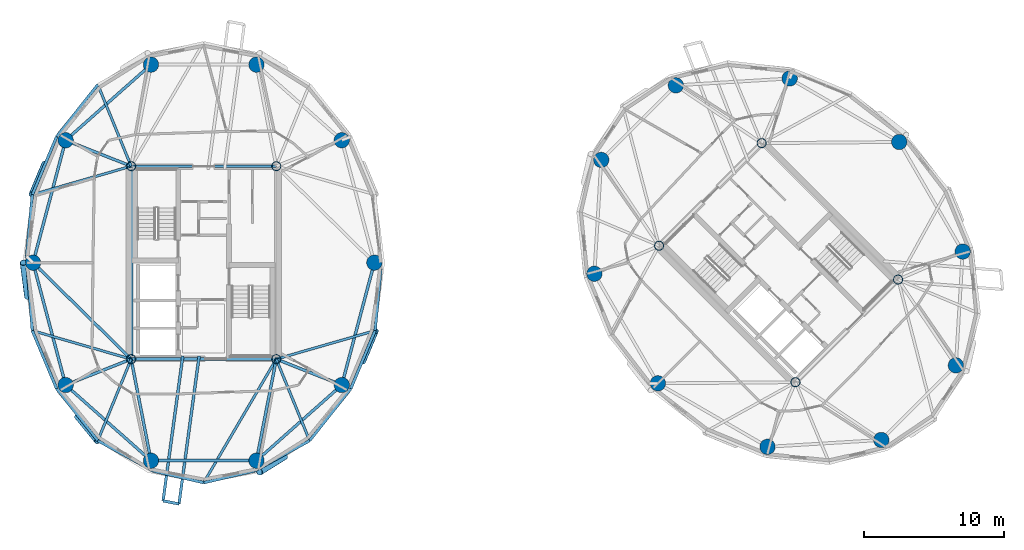
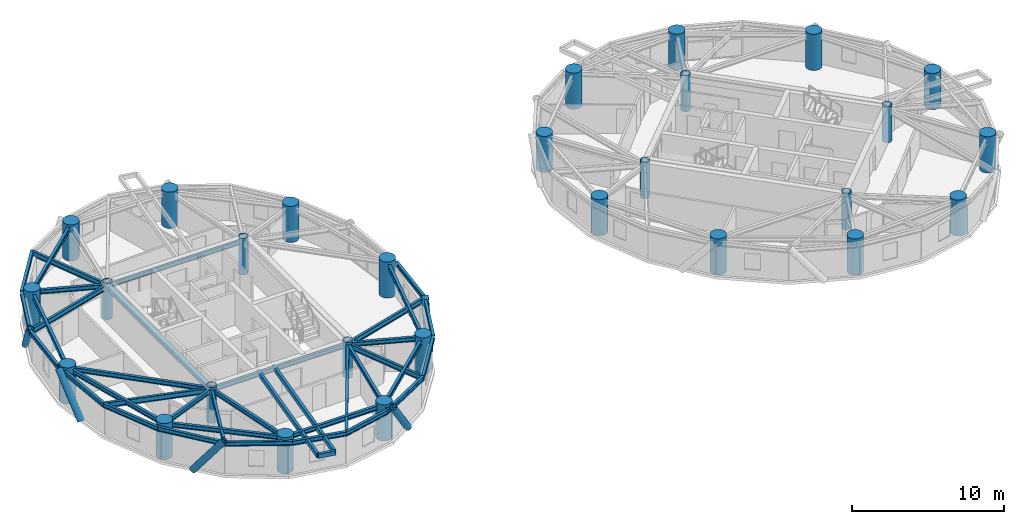
# One storey, part 1 of 16: 39 beams, 28 columns, 5 members.
"""IFC4 building model written with IfcOpenShell, lengths in metres."""

from ifc_helpers import new_model, si_unit, direction, frame, origin, origin_2d, place, context, subcontext, project, spatial, hollow_rectangle, circle, hollow_circle, i_section, extrude, material, material_profile, profile_set, type_object, element, save


model = new_model("IFC4")

# Units and contexts
model_context = context("Model", 3, precision=1e-05, world=origin(), true_north=direction((0.0, 1.0)))
body_context = subcontext(model_context, "Body", "Model", "MODEL_VIEW")
ifc_project = project(units=[si_unit("LENGTHUNIT", "METRE"), si_unit("AREAUNIT", "SQUARE_METRE"), si_unit("VOLUMEUNIT", "CUBIC_METRE"), si_unit("PLANEANGLEUNIT", "RADIAN"), si_unit("MASSUNIT", "GRAM", prefix="KILO")], contexts=[model_context])

# Site, building, storey
site_placement = place(None, origin())
site = spatial("IfcSite", under=ifc_project, at=site_placement, CompositionType="ELEMENT")
building_placement = place(site_placement, origin())
building = spatial("IfcBuilding", under=site, at=building_placement, Name="Cununo Teusaquillo Station Towers", CompositionType="ELEMENT")
storey_placement = place(building_placement, frame((0.0, 0.0, 211.2099609375)))
storey = spatial("IfcBuildingStorey", under=building, at=storey_placement, Name="L67", CompositionType="ELEMENT", Elevation=211.2099609375)

# Columns
ifc_material_1 = material(Name="Steel EN 10025-2 S355J2", Category="steel")
ifc_material_profile_1 = material_profile(ifc_material_1, hollow_circle(Radius=0.330078125, WallThickness=0.02490234375, at=origin_2d()), Name="CHS 660x25")
ifc_profile_set_1 = profile_set([ifc_material_profile_1], Name="Steel EN 10025-2 S355J2")
column_type_1 = type_object("IfcColumnType", Name="COL-CORE-Z3", PredefinedType="COLUMN", material=ifc_profile_set_1)
for number, where, z_axis, x_axis, name in (
    (1, (11.324951171875, 17.6201171875, 0.0), (0.0, 0.0, 1.0), (1.0, 0.0, 0.0), "L67 Tower A Core Column 1"),
    (2, (11.324951171875, 31.3798828125, 0.0), (0.0, 0.0, 1.0), (1.0, 0.0, 0.0), "L67 Tower A Core Column 2"),
    (3, (21.675048828125, 17.6201171875, 0.0), (0.0, 0.0, 1.0), (1.0, 0.0, 0.0), "L67 Tower A Core Column 3"),
    (4, (21.675048828125, 31.3798828125, 0.0), (0.0, 0.0, 1.0), (1.0, 0.0, 0.0), "L67 Tower A Core Column 4"),
    (5, (58.70556640625, 15.975830078125, 0.0), (0.0, 0.0, 1.0), (0.707106781187, 0.707106781187, 0.0), "L67 Tower B Core Column 1"),
    (6, (48.975830078125, 25.70556640625, 0.0), (0.0, 0.0, 1.0), (0.707106781187, 0.707106781187, 0.0), "L67 Tower B Core Column 2"),
    (7, (66.024169921875, 23.29443359375, 0.0), (0.0, 0.0, 1.0), (0.707106781187, 0.707106781187, 0.0), "L67 Tower B Core Column 3"),
    (8, (56.29443359375, 33.024169921875, 0.0), (0.0, 0.0, 1.0), (0.707106781187, 0.707106781187, 0.0), "L67 Tower B Core Column 4"),
):
    element("IfcColumn", number, at=place(storey_placement, frame(where, z_axis=z_axis, x_axis=x_axis)), inside=storey, type_object=column_type_1, Name=name, PredefinedType="COLUMN", context=body_context, shape_type="SweptSolid", body=[
        extrude(hollow_circle(Radius=0.330078125, WallThickness=0.02490234375, at=origin_2d()), origin(), (0.0, 0.0, 1.0), 2.91015625),
    ])
ifc_material_2 = material(Name="Concrete C50/60", Category="concrete")
ifc_material_profile_2 = material_profile(ifc_material_2, circle(Radius=0.550048828125, at=origin_2d()), Name="RC-CIRC-1100")
ifc_profile_set_2 = profile_set([ifc_material_profile_2], Name="Concrete C50/60")
column_type_2 = type_object("IfcColumnType", Name="COL-MEGA-Z4", PredefinedType="USERDEFINED", material=ifc_profile_set_2)
for number, where, z_axis, x_axis, name in (
    (9, (28.672119140625, 24.5, 0.0), (0.0, 0.0, 1.0), (1.0, 0.0, 0.0), "L67 Tower A Perimeter Column V00"),
    (10, (26.347412109375, 33.228515625, 0.0), (0.0, 0.0, 1.0), (1.0, 0.0, 0.0), "L67 Tower A Perimeter Column V02"),
    (11, (20.261474609375, 38.623291015625, 0.0), (0.0, 0.0, 1.0), (1.0, 0.0, 0.0), "L67 Tower A Perimeter Column V04"),
    (12, (12.738525390625, 38.623291015625, 0.0), (0.0, 0.0, 1.0), (1.0, 0.0, 0.0), "L67 Tower A Perimeter Column V06"),
    (13, (6.652587890625, 33.228515625, 0.0), (0.0, 0.0, 1.0), (1.0, 0.0, 0.0), "L67 Tower A Perimeter Column V08"),
    (14, (4.327880859375, 24.5, 0.0), (0.0, 0.0, 1.0), (1.0, 0.0, 0.0), "L67 Tower A Perimeter Column V10"),
    (15, (6.652587890625, 15.771484375, 0.0), (0.0, 0.0, 1.0), (1.0, 0.0, 0.0), "L67 Tower A Perimeter Column V12"),
    (16, (12.738525390625, 10.376708984375, 0.0), (0.0, 0.0, 1.0), (1.0, 0.0, 0.0), "L67 Tower A Perimeter Column V14"),
    (17, (20.261474609375, 10.376708984375, 0.0), (0.0, 0.0, 1.0), (1.0, 0.0, 0.0), "L67 Tower A Perimeter Column V16"),
    (18, (26.347412109375, 15.771484375, 0.0), (0.0, 0.0, 1.0), (1.0, 0.0, 0.0), "L67 Tower A Perimeter Column V18"),
    (19, (66.10693359375, 33.10693359375, 0.0), (0.0, 0.0, 1.0), (1.0, 0.0, 0.0), "L67 Tower B Perimeter Column V00"),
    (20, (58.291015625, 37.63525390625, 0.0), (0.0, 0.0, 1.0), (1.0, 0.0, 0.0), "L67 Tower B Perimeter Column V02"),
    (21, (50.173095703125, 37.146240234375, 0.0), (0.0, 0.0, 1.0), (1.0, 0.0, 0.0), "L67 Tower B Perimeter Column V04"),
    (22, (44.853759765625, 31.826904296875, 0.0), (0.0, 0.0, 1.0), (1.0, 0.0, 0.0), "L67 Tower B Perimeter Column V06"),
    (23, (44.36474609375, 23.708984375, 0.0), (0.0, 0.0, 1.0), (1.0, 0.0, 0.0), "L67 Tower B Perimeter Column V08"),
    (24, (48.89306640625, 15.89306640625, 0.0), (0.0, 0.0, 1.0), (1.0, 0.0, 0.0), "L67 Tower B Perimeter Column V10"),
    (25, (56.708984375, 11.36474609375, 0.0), (0.0, 0.0, 1.0), (1.0, 0.0, 0.0), "L67 Tower B Perimeter Column V12"),
    (26, (64.826904296875, 11.853759765625, 0.0), (0.0, 0.0, 1.0), (1.0, 0.0, 0.0), "L67 Tower B Perimeter Column V14"),
    (27, (70.146240234375, 17.173095703125, 0.0), (0.0, 0.0, 1.0), (1.0, 0.0, 0.0), "L67 Tower B Perimeter Column V16"),
    (28, (70.63525390625, 25.291015625, 0.0), (0.0, 0.0, 1.0), (1.0, 0.0, 0.0), "L67 Tower B Perimeter Column V18"),
):
    element("IfcColumn", number, at=place(storey_placement, frame(where, z_axis=z_axis, x_axis=x_axis)), inside=storey, type_object=column_type_2, Name=name, ObjectType="MEGA COLUMN", PredefinedType="USERDEFINED", context=body_context, shape_type="SweptSolid", body=[
        extrude(circle(Radius=0.550048828125, at=origin_2d()), origin(), (0.0, 0.0, 1.0), 2.91015625),
    ])

# Beams
ifc_material_3 = material(Name="Steel EN 10025-2 S355J2", Category="steel")
ifc_material_profile_3 = material_profile(ifc_material_3, hollow_rectangle(XDim=0.199951171875, YDim=0.35009765625, WallThickness=0.013916015625, at=origin_2d()), Name="RHS 350x200x14")
ifc_profile_set_3 = profile_set([ifc_material_profile_3], Name="Steel EN 10025-2 S355J2")
beam_type_1 = type_object("IfcBeamType", Name="BM-BAL-CANT", PredefinedType="BEAM", material=ifc_profile_set_3)
beam_1_placement = place(storey_placement, frame((15.0107421875, 17.85009765625, 2.525146484375), z_axis=(-0.135018196505, -0.990843119072, 0.0), x_axis=(0.990843119072, -0.135018196505, 0.0)))
element("IfcBeam", 29, at=beam_1_placement, inside=storey, type_object=beam_type_1, Name="L67 Tower A Balcony Cantilever Bracket 2A", PredefinedType="BEAM", context=body_context, shape_type="SweptSolid", body=[
    extrude(hollow_rectangle(XDim=0.199951171875, YDim=0.35009765625, WallThickness=0.013916015625, at=origin_2d()), origin(), (0.0, 0.0, 1.0), 10.43505859375),
])
beam_2_placement = place(storey_placement, frame((16.177001953125, 17.85009765625, 2.525146484375), z_axis=(-0.135006880627, -0.990844660975, 0.0), x_axis=(0.990844660975, -0.135006880627, 0.0)))
element("IfcBeam", 30, at=beam_2_placement, inside=storey, type_object=beam_type_1, Name="L67 Tower A Balcony Cantilever Bracket 2B", PredefinedType="BEAM", context=body_context, shape_type="SweptSolid", body=[
    extrude(hollow_rectangle(XDim=0.199951171875, YDim=0.35009765625, WallThickness=0.013916015625, at=origin_2d()), origin(), (0.0, 0.0, 1.0), 10.65673828125),
])
ifc_material_4 = material(Name="Steel EN 10025-2 S355J2", Category="steel")
ifc_material_profile_4 = material_profile(ifc_material_4, hollow_rectangle(XDim=0.25, YDim=0.449951171875, WallThickness=0.01611328125, at=origin_2d()), Name="RHS 450x250x16")
ifc_profile_set_4 = profile_set([ifc_material_profile_4], Name="Steel EN 10025-2 S355J2")
beam_type_2 = type_object("IfcBeamType", Name="BM-COUP-1", PredefinedType="USERDEFINED", material=ifc_profile_set_4)
beam_3_placement = place(storey_placement, frame((11.324951171875, 17.6201171875, 2.47509765625), z_axis=(0.0, 1.0, 0.0), x_axis=(-1.0, 0.0, 0.0)))
element("IfcBeam", 31, at=beam_3_placement, inside=storey, type_object=beam_type_2, Name="L67 Tower A Core Beam 1", ObjectType="COUPLING BEAM", PredefinedType="USERDEFINED", context=body_context, shape_type="SweptSolid", body=[
    extrude(hollow_rectangle(XDim=0.25, YDim=0.449951171875, WallThickness=0.01611328125, at=origin_2d()), origin(), (0.0, 0.0, 1.0), 13.759765625),
])
ifc_material_5 = material(Name="Steel ASTM A572 Grade 50", Category="steel")
ifc_material_profile_5 = material_profile(ifc_material_5, i_section(OverallWidth=0.180908203125, OverallDepth=0.4169921875, WebThickness=0.010986328125, FlangeThickness=0.018310546875, FilletRadius=0.012939453125, at=origin_2d()), Name="W16X57")
ifc_profile_set_5 = profile_set([ifc_material_profile_5], Name="Steel ASTM A572 Grade 50")
beam_type_3 = type_object("IfcBeamType", Name="BM-JOIST-1", PredefinedType="JOIST", material=ifc_profile_set_5)
beam_4_placement = place(storey_placement, frame((11.324951171875, 31.3798828125, 2.491455078125), z_axis=(-0.378576847217, 0.925569862707, 0.0), x_axis=(-0.925569862707, -0.378576847217, 0.0)))
element("IfcBeam", 32, at=beam_4_placement, inside=storey, type_object=beam_type_3, Name="L67 Tower A Radial Spandrel Joist V07", PredefinedType="JOIST", context=body_context, shape_type="SweptSolid", body=[
    extrude(i_section(OverallWidth=0.180908203125, OverallDepth=0.4169921875, WebThickness=0.010986328125, FlangeThickness=0.018310546875, FilletRadius=0.012939453125, at=origin_2d()), origin(), (0.0, 0.0, 1.0), 6.28125),
])
for number, where, z_axis, x_axis, name in (
    (33, (11.324951171875, 31.3798828125, 2.491455078125), (-0.960861603375, -0.277028841748, 0.0), (0.277028841748, -0.960861603375, 0.0), "L67 Tower A Radial Spandrel Joist V09"),
    (34, (11.324951171875, 17.6201171875, 2.491455078125), (-0.960861603375, 0.277028841748, 0.0), (-0.277028841748, -0.960861603375, 0.0), "L67 Tower A Radial Spandrel Joist V11"),
):
    element("IfcBeam", number, at=place(storey_placement, frame(where, z_axis=z_axis, x_axis=x_axis)), inside=storey, type_object=beam_type_3, Name=name, PredefinedType="JOIST", context=body_context, shape_type="SweptSolid", body=[
        extrude(i_section(OverallWidth=0.180908203125, OverallDepth=0.4169921875, WebThickness=0.010986328125, FlangeThickness=0.018310546875, FilletRadius=0.012939453125, at=origin_2d()), origin(), (0.0, 0.0, 1.0), 7.333251953125),
    ])
beam_5_placement = place(storey_placement, frame((11.324951171875, 17.6201171875, 2.491455078125), z_axis=(-0.378576847217, -0.925569862707, 0.0), x_axis=(0.925569862707, -0.378576847217, 0.0)))
element("IfcBeam", 35, at=beam_5_placement, inside=storey, type_object=beam_type_3, Name="L67 Tower A Radial Spandrel Joist V13", PredefinedType="JOIST", context=body_context, shape_type="SweptSolid", body=[
    extrude(i_section(OverallWidth=0.180908203125, OverallDepth=0.4169921875, WebThickness=0.010986328125, FlangeThickness=0.018310546875, FilletRadius=0.012939453125, at=origin_2d()), origin(), (0.0, 0.0, 1.0), 6.28125),
])
beam_6_placement = place(storey_placement, frame((21.675048828125, 17.6201171875, 2.491455078125), z_axis=(-0.506486432091, -0.862247930765, 0.0), x_axis=(0.862247930765, -0.506486432091, 0.0)))
element("IfcBeam", 36, at=beam_6_placement, inside=storey, type_object=beam_type_3, Name="L67 Tower A Radial Spandrel Joist V15", PredefinedType="JOIST", context=body_context, shape_type="SweptSolid", body=[
    extrude(i_section(OverallWidth=0.180908203125, OverallDepth=0.4169921875, WebThickness=0.010986328125, FlangeThickness=0.018310546875, FilletRadius=0.012939453125, at=origin_2d()), origin(), (0.0, 0.0, 1.0), 10.217529296875),
])
beam_7_placement = place(storey_placement, frame((21.675048828125, 17.6201171875, 2.491455078125), z_axis=(0.378576847217, -0.925569862707, 0.0), x_axis=(0.925569862707, 0.378576847217, 0.0)))
element("IfcBeam", 37, at=beam_7_placement, inside=storey, type_object=beam_type_3, Name="L67 Tower A Radial Spandrel Joist V17", PredefinedType="JOIST", context=body_context, shape_type="SweptSolid", body=[
    extrude(i_section(OverallWidth=0.180908203125, OverallDepth=0.4169921875, WebThickness=0.010986328125, FlangeThickness=0.018310546875, FilletRadius=0.012939453125, at=origin_2d()), origin(), (0.0, 0.0, 1.0), 6.28125),
])
beam_8_placement = place(storey_placement, frame((21.675048828125, 17.6201171875, 2.491455078125), z_axis=(0.960861603375, 0.277028841748, 0.0), x_axis=(-0.277028841748, 0.960861603375, 0.0)))
element("IfcBeam", 38, at=beam_8_placement, inside=storey, type_object=beam_type_3, Name="L67 Tower A Radial Spandrel Joist V19", PredefinedType="JOIST", context=body_context, shape_type="SweptSolid", body=[
    extrude(i_section(OverallWidth=0.180908203125, OverallDepth=0.4169921875, WebThickness=0.010986328125, FlangeThickness=0.018310546875, FilletRadius=0.012939453125, at=origin_2d()), origin(), (0.0, 0.0, 1.0), 7.333251953125),
])
ifc_material_6 = material(Name="Steel ASTM A572 Grade 50", Category="steel")
ifc_material_profile_6 = material_profile(ifc_material_6, i_section(OverallWidth=0.2041015625, OverallDepth=0.35009765625, WebThickness=0.008544921875, FlangeThickness=0.01513671875, FilletRadius=0.011962890625, at=origin_2d()), Name="W14X48")
ifc_profile_set_6 = profile_set([ifc_material_profile_6], Name="Steel ASTM A572 Grade 50")
beam_type_4 = type_object("IfcBeamType", Name="BM-LINTEL-1", PredefinedType="LINTEL", material=ifc_profile_set_6)
for number, where, z_axis, x_axis, name in (
    (39, (11.324951171875, 17.6201171875, 2.525146484375), (1.0, 0.0, 0.0), (0.0, 1.0, 0.0), "L67 Tower A Core Beam 3"),
    (40, (11.324951171875, 31.3798828125, 2.525146484375), (1.0, 0.0, 0.0), (0.0, 1.0, 0.0), "L67 Tower A Core Beam 4"),
):
    element("IfcBeam", number, at=place(storey_placement, frame(where, z_axis=z_axis, x_axis=x_axis)), inside=storey, type_object=beam_type_4, Name=name, PredefinedType="LINTEL", context=body_context, shape_type="SweptSolid", body=[
        extrude(i_section(OverallWidth=0.2041015625, OverallDepth=0.35009765625, WebThickness=0.008544921875, FlangeThickness=0.01513671875, FilletRadius=0.011962890625, at=origin_2d()), origin(), (0.0, 0.0, 1.0), 10.35009765625),
    ])
ifc_material_7 = material(Name="Steel ASTM A572 Grade 50", Category="steel")
ifc_material_profile_7 = material_profile(ifc_material_7, i_section(OverallWidth=0.2041015625, OverallDepth=0.35009765625, WebThickness=0.008544921875, FlangeThickness=0.01513671875, FilletRadius=0.011962890625, at=origin_2d()), Name="W14X48")
ifc_profile_set_7 = profile_set([ifc_material_profile_7], Name="Steel ASTM A572 Grade 50")
beam_type_5 = type_object("IfcBeamType", Name="BM-RAD-G3", PredefinedType="BEAM", material=ifc_profile_set_7)
beam_9_placement = place(storey_placement, frame((11.324951171875, 31.3798828125, 2.525146484375), z_axis=(-0.929851670487, 0.36793460138, 0.0), x_axis=(-0.36793460138, -0.929851670487, 0.0)))
element("IfcBeam", 41, at=beam_9_placement, inside=storey, type_object=beam_type_5, Name="L67 Tower A Continuous Overhanging Radial Girder 05", PredefinedType="BEAM", context=body_context, shape_type="SweptSolid", body=[
    extrude(i_section(OverallWidth=0.2041015625, OverallDepth=0.35009765625, WebThickness=0.008544921875, FlangeThickness=0.01513671875, FilletRadius=0.011962890625, at=origin_2d()), origin(), (0.0, 0.0, 1.0), 5.71630859375),
])
beam_10_placement = place(storey_placement, frame((11.324951171875, 17.6201171875, 2.525146484375), z_axis=(-0.713052701438, 0.701110437073, 0.0), x_axis=(-0.701110437073, -0.713052701438, 0.0)))
element("IfcBeam", 42, at=beam_10_placement, inside=storey, type_object=beam_type_5, Name="L67 Tower A Radial Girder 06A", PredefinedType="BEAM", context=body_context, shape_type="SweptSolid", body=[
    extrude(i_section(OverallWidth=0.2041015625, OverallDepth=0.35009765625, WebThickness=0.008544921875, FlangeThickness=0.01513671875, FilletRadius=0.011962890625, at=origin_2d()), origin(), (0.0, 0.0, 1.0), 9.812744140625),
])
beam_11_placement = place(storey_placement, frame((11.324951171875, 17.6201171875, 2.525146484375), z_axis=(-0.929851670487, -0.36793460138, 0.0), x_axis=(0.36793460138, -0.929851670487, 0.0)))
element("IfcBeam", 43, at=beam_11_placement, inside=storey, type_object=beam_type_5, Name="L67 Tower A Continuous Overhanging Radial Girder 07", PredefinedType="BEAM", context=body_context, shape_type="SweptSolid", body=[
    extrude(i_section(OverallWidth=0.2041015625, OverallDepth=0.35009765625, WebThickness=0.008544921875, FlangeThickness=0.01513671875, FilletRadius=0.011962890625, at=origin_2d()), origin(), (0.0, 0.0, 1.0), 5.71630859375),
])
for number, where, z_axis, x_axis, name in (
    (44, (11.324951171875, 17.6201171875, 2.525146484375), (0.191548487699, -0.981483151593, 0.0), (0.981483151593, 0.191548487699, 0.0), "L67 Tower A Continuous Overhanging Radial Girder 08"),
    (45, (21.675048828125, 17.6201171875, 2.525146484375), (-0.191548487699, -0.981483151593, 0.0), (0.981483151593, -0.191548487699, 0.0), "L67 Tower A Continuous Overhanging Radial Girder 09"),
):
    element("IfcBeam", number, at=place(storey_placement, frame(where, z_axis=z_axis, x_axis=x_axis)), inside=storey, type_object=beam_type_5, Name=name, PredefinedType="BEAM", context=body_context, shape_type="SweptSolid", body=[
        extrude(i_section(OverallWidth=0.2041015625, OverallDepth=0.35009765625, WebThickness=0.008544921875, FlangeThickness=0.01513671875, FilletRadius=0.011962890625, at=origin_2d()), origin(), (0.0, 0.0, 1.0), 8.1240234375),
    ])
beam_12_placement = place(storey_placement, frame((21.675048828125, 17.6201171875, 2.525146484375), z_axis=(0.929851670487, -0.36793460138, 0.0), x_axis=(0.36793460138, 0.929851670487, 0.0)))
element("IfcBeam", 46, at=beam_12_placement, inside=storey, type_object=beam_type_5, Name="L67 Tower A Continuous Overhanging Radial Girder 10", PredefinedType="BEAM", context=body_context, shape_type="SweptSolid", body=[
    extrude(i_section(OverallWidth=0.2041015625, OverallDepth=0.35009765625, WebThickness=0.008544921875, FlangeThickness=0.01513671875, FilletRadius=0.011962890625, at=origin_2d()), origin(), (0.0, 0.0, 1.0), 5.71630859375),
])
ifc_material_8 = material(Name="Steel ASTM A572 Grade 50", Category="steel")
ifc_material_profile_8 = material_profile(ifc_material_8, i_section(OverallWidth=0.2041015625, OverallDepth=0.35009765625, WebThickness=0.008544921875, FlangeThickness=0.01513671875, FilletRadius=0.011962890625, at=origin_2d()), Name="W14X48")
ifc_profile_set_8 = profile_set([ifc_material_profile_8], Name="Steel ASTM A572 Grade 50")
beam_type_6 = type_object("IfcBeamType", Name="BM-RING-Z4", PredefinedType="SPANDREL", material=ifc_profile_set_8)
beam_13_placement = place(storey_placement, frame((12.738525390625, 38.623291015625, 2.525146484375), z_axis=(-0.74832120039, -0.66333655187, 0.0), x_axis=(0.66333655187, -0.74832120039, 0.0)))
element("IfcBeam", 47, at=beam_13_placement, inside=storey, type_object=beam_type_6, Name="L67 Tower A Structural Column Ring Girder 04", PredefinedType="SPANDREL", context=body_context, shape_type="SweptSolid", body=[
    extrude(i_section(OverallWidth=0.2041015625, OverallDepth=0.35009765625, WebThickness=0.008544921875, FlangeThickness=0.01513671875, FilletRadius=0.011962890625, at=origin_2d()), origin(), (0.0, 0.0, 1.0), 8.1328125),
])
for number, where, z_axis, x_axis, name in (
    (48, (6.652587890625, 33.228515625, 2.525146484375), (-0.257363196347, -0.966314744359, 0.0), (0.966314744359, -0.257363196347, 0.0), "L67 Tower A Structural Column Ring Girder 05"),
    (49, (4.327880859375, 24.5, 2.525146484375), (0.257363196347, -0.966314744359, 0.0), (0.966314744359, 0.257363196347, 0.0), "L67 Tower A Structural Column Ring Girder 06"),
):
    element("IfcBeam", number, at=place(storey_placement, frame(where, z_axis=z_axis, x_axis=x_axis)), inside=storey, type_object=beam_type_6, Name=name, PredefinedType="SPANDREL", context=body_context, shape_type="SweptSolid", body=[
        extrude(i_section(OverallWidth=0.2041015625, OverallDepth=0.35009765625, WebThickness=0.008544921875, FlangeThickness=0.01513671875, FilletRadius=0.011962890625, at=origin_2d()), origin(), (0.0, 0.0, 1.0), 9.03271484375),
    ])
beam_14_placement = place(storey_placement, frame((6.652587890625, 15.771484375, 2.525146484375), z_axis=(0.74832120039, -0.66333655187, 0.0), x_axis=(0.66333655187, 0.74832120039, 0.0)))
element("IfcBeam", 50, at=beam_14_placement, inside=storey, type_object=beam_type_6, Name="L67 Tower A Structural Column Ring Girder 07", PredefinedType="SPANDREL", context=body_context, shape_type="SweptSolid", body=[
    extrude(i_section(OverallWidth=0.2041015625, OverallDepth=0.35009765625, WebThickness=0.008544921875, FlangeThickness=0.01513671875, FilletRadius=0.011962890625, at=origin_2d()), origin(), (0.0, 0.0, 1.0), 8.1328125),
])
beam_15_placement = place(storey_placement, frame((12.738525390625, 10.376708984375, 2.525146484375), z_axis=(1.0, 0.0, 0.0), x_axis=(0.0, 1.0, 0.0)))
element("IfcBeam", 51, at=beam_15_placement, inside=storey, type_object=beam_type_6, Name="L67 Tower A Structural Column Ring Girder 08", PredefinedType="SPANDREL", context=body_context, shape_type="SweptSolid", body=[
    extrude(i_section(OverallWidth=0.2041015625, OverallDepth=0.35009765625, WebThickness=0.008544921875, FlangeThickness=0.01513671875, FilletRadius=0.011962890625, at=origin_2d()), origin(), (0.0, 0.0, 1.0), 7.52294921875),
])
beam_16_placement = place(storey_placement, frame((20.261474609375, 10.376708984375, 2.525146484375), z_axis=(0.74832120039, 0.66333655187, 0.0), x_axis=(-0.66333655187, 0.74832120039, 0.0)))
element("IfcBeam", 52, at=beam_16_placement, inside=storey, type_object=beam_type_6, Name="L67 Tower A Structural Column Ring Girder 09", PredefinedType="SPANDREL", context=body_context, shape_type="SweptSolid", body=[
    extrude(i_section(OverallWidth=0.2041015625, OverallDepth=0.35009765625, WebThickness=0.008544921875, FlangeThickness=0.01513671875, FilletRadius=0.011962890625, at=origin_2d()), origin(), (0.0, 0.0, 1.0), 8.1328125),
])
beam_17_placement = place(storey_placement, frame((26.347412109375, 15.771484375, 2.525146484375), z_axis=(0.257363196347, 0.966314744359, 0.0), x_axis=(-0.966314744359, 0.257363196347, 0.0)))
element("IfcBeam", 53, at=beam_17_placement, inside=storey, type_object=beam_type_6, Name="L67 Tower A Structural Column Ring Girder 10", PredefinedType="SPANDREL", context=body_context, shape_type="SweptSolid", body=[
    extrude(i_section(OverallWidth=0.2041015625, OverallDepth=0.35009765625, WebThickness=0.008544921875, FlangeThickness=0.01513671875, FilletRadius=0.011962890625, at=origin_2d()), origin(), (0.0, 0.0, 1.0), 9.03271484375),
])
beam_18_placement = place(storey_placement, frame((8.947021484375, 37.193603515625, 2.525146484375), z_axis=(-0.620710872531, -0.784039547932, 0.0), x_axis=(0.784039547932, -0.620710872531, 0.0)))
element("IfcBeam", 54, at=beam_18_placement, inside=storey, type_object=beam_type_6, Name="L67 Tower A Spandrel Ring Beam 08", PredefinedType="SPANDREL", context=body_context, shape_type="SweptSolid", body=[
    extrude(i_section(OverallWidth=0.2041015625, OverallDepth=0.35009765625, WebThickness=0.008544921875, FlangeThickness=0.01513671875, FilletRadius=0.011962890625, at=origin_2d()), origin(), (0.0, 0.0, 1.0), 4.732421875),
])
beam_19_placement = place(storey_placement, frame((6.009521484375, 33.483154296875, 2.525146484375), z_axis=(-0.386115454066, -0.922450462698, 0.0), x_axis=(0.922450462698, -0.386115454066, 0.0)))
element("IfcBeam", 55, at=beam_19_placement, inside=storey, type_object=beam_type_6, Name="L67 Tower A Spandrel Ring Beam 09", PredefinedType="SPANDREL", context=body_context, shape_type="SweptSolid", body=[
    extrude(i_section(OverallWidth=0.2041015625, OverallDepth=0.35009765625, WebThickness=0.008544921875, FlangeThickness=0.01513671875, FilletRadius=0.011962890625, at=origin_2d()), origin(), (0.0, 0.0, 1.0), 4.482421875),
])
beam_20_placement = place(storey_placement, frame((4.27880859375, 29.348388671875, 2.525146484375), z_axis=(-0.093902932611, -0.995581357422, 0.0), x_axis=(0.995581357422, -0.093902932611, 0.0)))
element("IfcBeam", 56, at=beam_20_placement, inside=storey, type_object=beam_type_6, Name="L67 Tower A Spandrel Ring Beam 10", PredefinedType="SPANDREL", context=body_context, shape_type="SweptSolid", body=[
    extrude(i_section(OverallWidth=0.2041015625, OverallDepth=0.35009765625, WebThickness=0.008544921875, FlangeThickness=0.01513671875, FilletRadius=0.011962890625, at=origin_2d()), origin(), (0.0, 0.0, 1.0), 4.412109375),
])
beam_21_placement = place(storey_placement, frame((3.864501953125, 24.955810546875, 2.525146484375), z_axis=(0.077871988965, -0.996963366095, 0.0), x_axis=(0.996963366095, 0.077871988965, 0.0)))
element("IfcBeam", 57, at=beam_21_placement, inside=storey, type_object=beam_type_6, Name="L67 Tower A Spandrel Ring Beam 11", PredefinedType="SPANDREL", context=body_context, shape_type="SweptSolid", body=[
    extrude(i_section(OverallWidth=0.2041015625, OverallDepth=0.35009765625, WebThickness=0.008544921875, FlangeThickness=0.01513671875, FilletRadius=0.011962890625, at=origin_2d()), origin(), (0.0, 0.0, 1.0), 5.3203125),
])
beam_22_placement = place(storey_placement, frame((4.27880859375, 19.651611328125, 2.525146484375), z_axis=(0.386115454066, -0.922450462698, 0.0), x_axis=(0.922450462698, 0.386115454066, 0.0)))
element("IfcBeam", 58, at=beam_22_placement, inside=storey, type_object=beam_type_6, Name="L67 Tower A Spandrel Ring Beam 12", PredefinedType="SPANDREL", context=body_context, shape_type="SweptSolid", body=[
    extrude(i_section(OverallWidth=0.2041015625, OverallDepth=0.35009765625, WebThickness=0.008544921875, FlangeThickness=0.01513671875, FilletRadius=0.011962890625, at=origin_2d()), origin(), (0.0, 0.0, 1.0), 4.482421875),
])
beam_23_placement = place(storey_placement, frame((6.009521484375, 15.516845703125, 2.525146484375), z_axis=(0.620710872531, -0.784039547932, 0.0), x_axis=(0.784039547932, 0.620710872531, 0.0)))
element("IfcBeam", 59, at=beam_23_placement, inside=storey, type_object=beam_type_6, Name="L67 Tower A Spandrel Ring Beam 13", PredefinedType="SPANDREL", context=body_context, shape_type="SweptSolid", body=[
    extrude(i_section(OverallWidth=0.2041015625, OverallDepth=0.35009765625, WebThickness=0.008544921875, FlangeThickness=0.01513671875, FilletRadius=0.011962890625, at=origin_2d()), origin(), (0.0, 0.0, 1.0), 4.732421875),
])
beam_24_placement = place(storey_placement, frame((8.947021484375, 11.806396484375, 2.525146484375), z_axis=(0.876576300909, -0.481262910149, 0.0), x_axis=(0.481262910149, 0.876576300909, 0.0)))
element("IfcBeam", 60, at=beam_24_placement, inside=storey, type_object=beam_type_6, Name="L67 Tower A Spandrel Ring Beam 14", PredefinedType="SPANDREL", context=body_context, shape_type="SweptSolid", body=[
    extrude(i_section(OverallWidth=0.2041015625, OverallDepth=0.35009765625, WebThickness=0.008544921875, FlangeThickness=0.01513671875, FilletRadius=0.011962890625, at=origin_2d()), origin(), (0.0, 0.0, 1.0), 4.488037109375),
])
for number, where, z_axis, x_axis, name in (
    (61, (12.881103515625, 9.646484375, 2.525146484375), (0.97431470066, -0.225190728224, 0.0), (0.225190728224, 0.97431470066, 0.0), "L67 Tower A Spandrel Ring Beam 15"),
    (62, (16.5, 8.81005859375, 2.525146484375), (0.97431470066, 0.225190728224, 0.0), (-0.225190728224, 0.97431470066, 0.0), "L67 Tower A Spandrel Ring Beam 16"),
):
    element("IfcBeam", number, at=place(storey_placement, frame(where, z_axis=z_axis, x_axis=x_axis)), inside=storey, type_object=beam_type_6, Name=name, PredefinedType="SPANDREL", context=body_context, shape_type="SweptSolid", body=[
        extrude(i_section(OverallWidth=0.2041015625, OverallDepth=0.35009765625, WebThickness=0.008544921875, FlangeThickness=0.01513671875, FilletRadius=0.011962890625, at=origin_2d()), origin(), (0.0, 0.0, 1.0), 3.71435546875),
    ])
beam_25_placement = place(storey_placement, frame((20.118896484375, 9.646484375, 2.525146484375), z_axis=(0.876576300909, 0.481262910149, 0.0), x_axis=(-0.481262910149, 0.876576300909, 0.0)))
element("IfcBeam", 63, at=beam_25_placement, inside=storey, type_object=beam_type_6, Name="L67 Tower A Spandrel Ring Beam 17", PredefinedType="SPANDREL", context=body_context, shape_type="SweptSolid", body=[
    extrude(i_section(OverallWidth=0.2041015625, OverallDepth=0.35009765625, WebThickness=0.008544921875, FlangeThickness=0.01513671875, FilletRadius=0.011962890625, at=origin_2d()), origin(), (0.0, 0.0, 1.0), 4.488037109375),
])
beam_26_placement = place(storey_placement, frame((24.052978515625, 11.806396484375, 2.525146484375), z_axis=(0.620710872531, 0.784039547932, 0.0), x_axis=(-0.784039547932, 0.620710872531, 0.0)))
element("IfcBeam", 64, at=beam_26_placement, inside=storey, type_object=beam_type_6, Name="L67 Tower A Spandrel Ring Beam 18", PredefinedType="SPANDREL", context=body_context, shape_type="SweptSolid", body=[
    extrude(i_section(OverallWidth=0.2041015625, OverallDepth=0.35009765625, WebThickness=0.008544921875, FlangeThickness=0.01513671875, FilletRadius=0.011962890625, at=origin_2d()), origin(), (0.0, 0.0, 1.0), 4.732421875),
])
beam_27_placement = place(storey_placement, frame((26.990478515625, 15.516845703125, 2.525146484375), z_axis=(0.386115454066, 0.922450462698, 0.0), x_axis=(-0.922450462698, 0.386115454066, 0.0)))
element("IfcBeam", 65, at=beam_27_placement, inside=storey, type_object=beam_type_6, Name="L67 Tower A Spandrel Ring Beam 19", PredefinedType="SPANDREL", context=body_context, shape_type="SweptSolid", body=[
    extrude(i_section(OverallWidth=0.2041015625, OverallDepth=0.35009765625, WebThickness=0.008544921875, FlangeThickness=0.01513671875, FilletRadius=0.011962890625, at=origin_2d()), origin(), (0.0, 0.0, 1.0), 4.482421875),
])
beam_28_placement = place(storey_placement, frame((28.72119140625, 19.651611328125, 2.525146484375), z_axis=(0.093902932611, 0.995581357422, 0.0), x_axis=(-0.995581357422, 0.093902932611, 0.0)))
element("IfcBeam", 66, at=beam_28_placement, inside=storey, type_object=beam_type_6, Name="L67 Tower A Spandrel Ring Beam 20", PredefinedType="SPANDREL", context=body_context, shape_type="SweptSolid", body=[
    extrude(i_section(OverallWidth=0.2041015625, OverallDepth=0.35009765625, WebThickness=0.008544921875, FlangeThickness=0.01513671875, FilletRadius=0.011962890625, at=origin_2d()), origin(), (0.0, 0.0, 1.0), 4.412109375),
])
ifc_material_9 = material(Name="Steel EN 10025-2 S355J2", Category="steel")
ifc_material_profile_9 = material_profile(ifc_material_9, hollow_rectangle(XDim=0.199951171875, YDim=0.35009765625, WallThickness=0.013916015625, at=origin_2d()), Name="RHS 350x200x14")
ifc_profile_set_9 = profile_set([ifc_material_profile_9], Name="Steel EN 10025-2 S355J2")
beam_type_7 = type_object("IfcBeamType", Name="BM-STAIR-TRIM", PredefinedType="BEAM", material=ifc_profile_set_9)
beam_29_placement = place(storey_placement, frame((13.601806640625, 7.510498046875, 2.525146484375), z_axis=(0.981857200028, -0.189621830897, 0.0), x_axis=(0.189621830897, 0.981857200028, 0.0)))
element("IfcBeam", 67, at=beam_29_placement, inside=storey, type_object=beam_type_7, Name="L67 Tower A Balcony Edge Trimmer Beam 2", PredefinedType="BEAM", context=body_context, shape_type="SweptSolid", body=[
    extrude(hollow_rectangle(XDim=0.199951171875, YDim=0.35009765625, WallThickness=0.013916015625, at=origin_2d()), origin(), (0.0, 0.0, 1.0), 1.157470703125),
])

# Members
ifc_material_10 = material(Name="Steel EN 10025-2 S355J2", Category="steel")
ifc_material_profile_10 = material_profile(ifc_material_10, hollow_circle(Radius=0.25390625, WallThickness=0.01806640625, at=origin_2d()), Name="CHS 508x18")
ifc_profile_set_10 = profile_set([ifc_material_profile_10], Name="Steel EN 10025-2 S355J2")
member_type = type_object("IfcMemberType", Name="MBR-DIAG-Z4", PredefinedType="BRACE", material=ifc_profile_set_10)
member_1_placement = place(storey_placement, frame((5.19140625, 31.535400390625, -0.139892578125), z_axis=(-0.243178360097, -0.58276932845, 0.77539937774), x_axis=(0.922875628603, -0.385098135713, 0.0)))
element("IfcMember", 68, at=member_1_placement, inside=storey, type_object=member_type, Name="L67 Tower A Folded-Zigzag Diagrid Tube C08", PredefinedType="BRACE", context=body_context, shape_type="SweptSolid", body=[
    extrude(hollow_circle(Radius=0.25390625, WallThickness=0.01806640625, at=origin_2d()), origin(), (0.0, 0.0, 1.0), 3.752685546875),
])
member_2_placement = place(storey_placement, frame((3.964599609375, 22.07568359375, -0.139892578125), z_axis=(-0.082803794412, 0.637891139268, 0.765662083477), x_axis=(-0.991679857004, -0.128728634006, 0.0)))
element("IfcMember", 69, at=member_2_placement, inside=storey, type_object=member_type, Name="L67 Tower A Folded-Zigzag Diagrid Tube C10", PredefinedType="BRACE", context=body_context, shape_type="SweptSolid", body=[
    extrude(hollow_circle(Radius=0.25390625, WallThickness=0.01806640625, at=origin_2d()), origin(), (0.0, 0.0, 1.0), 3.800537109375),
])
member_3_placement = place(storey_placement, frame((7.525390625, 13.5419921875, -0.139892578125), z_axis=(0.386905797136, -0.472353307889, 0.791950918094), x_axis=(0.773608092629, 0.633664358331, 0.0)))
element("IfcMember", 70, at=member_3_placement, inside=storey, type_object=member_type, Name="L67 Tower A Folded-Zigzag Diagrid Tube C12", PredefinedType="BRACE", context=body_context, shape_type="SweptSolid", body=[
    extrude(hollow_circle(Radius=0.25390625, WallThickness=0.01806640625, at=origin_2d()), origin(), (0.0, 0.0, 1.0), 3.67431640625),
])
member_4_placement = place(storey_placement, frame((22.261962890625, 10.692138671875, -0.139892578125), z_axis=(-0.498333742466, -0.310032061152, 0.809656471708), x_axis=(0.528249968439, -0.849088906325, 0.0)))
element("IfcMember", 71, at=member_4_placement, inside=storey, type_object=member_type, Name="L67 Tower A Folded-Zigzag Diagrid Tube C16", PredefinedType="BRACE", context=body_context, shape_type="SweptSolid", body=[
    extrude(hollow_circle(Radius=0.25390625, WallThickness=0.01806640625, at=origin_2d()), origin(), (0.0, 0.0, 1.0), 3.593994140625),
])
member_5_placement = place(storey_placement, frame((27.80859375, 17.464599609375, -0.139892578125), z_axis=(0.243178360097, 0.58276932845, 0.77539937774), x_axis=(-0.922875628603, 0.385098135713, 0.0)))
element("IfcMember", 72, at=member_5_placement, inside=storey, type_object=member_type, Name="L67 Tower A Folded-Zigzag Diagrid Tube C18", PredefinedType="BRACE", context=body_context, shape_type="SweptSolid", body=[
    extrude(hollow_circle(Radius=0.25390625, WallThickness=0.01806640625, at=origin_2d()), origin(), (0.0, 0.0, 1.0), 3.752685546875),
])

save(model, "model.ifc")
